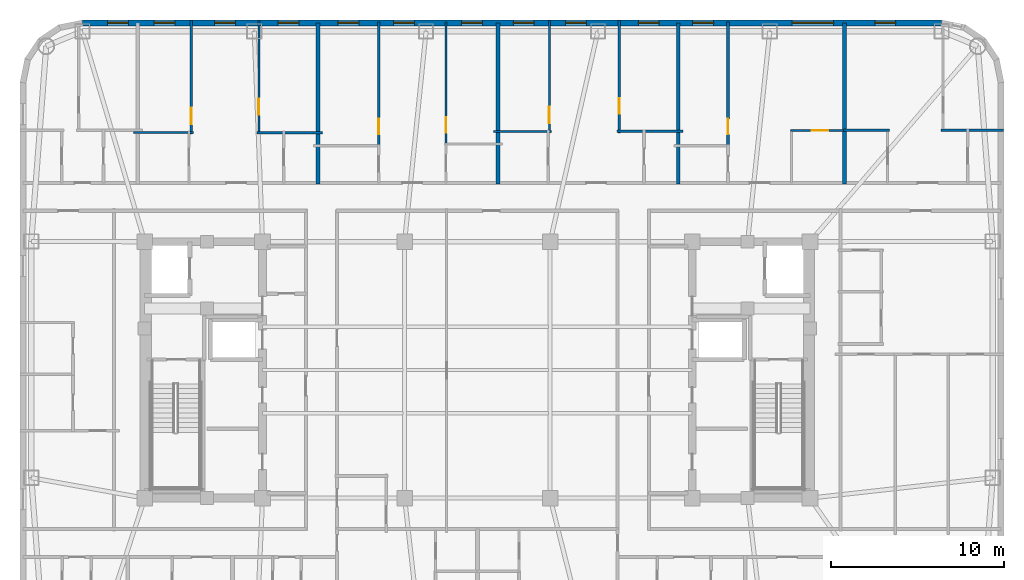
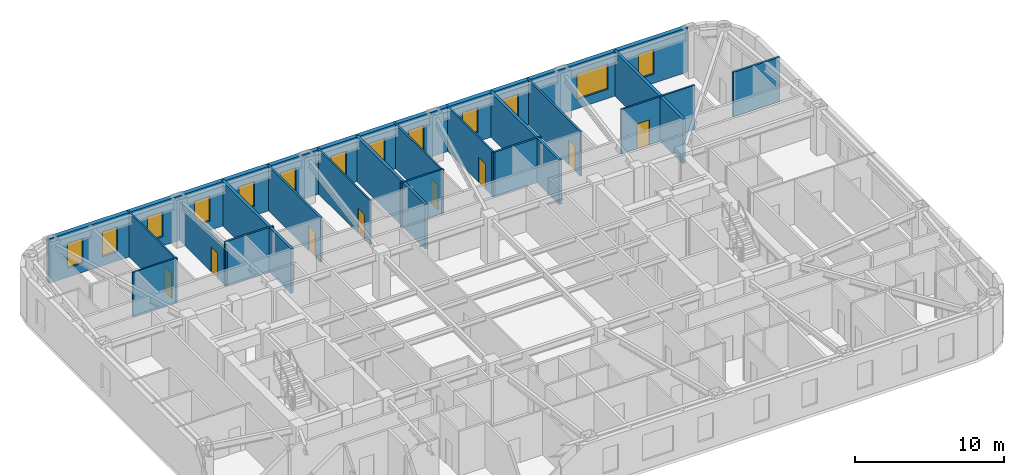
# One storey, part 8 of 11: 19 walls, 13 windows, 8 doors, 21 openings.
"""IFC4 building model written with IfcOpenShell, lengths in metres."""

from ifc_helpers import new_model, si_unit, direction, frame, frame_2d, origin, place, context, subcontext, project, spatial, rectangle, extrude, material, layer, layer_set, type_object, element, fill, save


model = new_model("IFC4")

# Units and contexts
model_context = context("Model", 3, precision=1e-05, world=origin(), true_north=direction((0.0, 1.0)))
body_context = subcontext(model_context, "Body", "Model", "MODEL_VIEW")
ifc_project = project(units=[si_unit("LENGTHUNIT", "METRE"), si_unit("AREAUNIT", "SQUARE_METRE"), si_unit("VOLUMEUNIT", "CUBIC_METRE"), si_unit("PLANEANGLEUNIT", "RADIAN"), si_unit("MASSUNIT", "GRAM", prefix="KILO")], contexts=[model_context])

# Site, building, storey
site_placement = place(None, origin())
site = spatial("IfcSite", under=ifc_project, at=site_placement, CompositionType="ELEMENT")
building_placement = place(site_placement, origin())
building = spatial("IfcBuilding", under=site, at=building_placement, Name="Voryun Gate Residences", CompositionType="ELEMENT")
storey_placement = place(building_placement, frame((0.0, 0.0, 215.800048828125)))
storey = spatial("IfcBuildingStorey", under=building, at=storey_placement, Name="L53", CompositionType="ELEMENT", Elevation=215.800048828125)

# Wall, openings, windows
ifc_material_1 = material(Name="Charcoal terracotta masonry", Category="masonry")
ifc_layer_1 = layer(ifc_material_1, 0.340087890625, Name="W_EXT_TERRACOTTA_340")
ifc_layer_set_1 = layer_set([ifc_layer_1], Name="Charcoal terracotta masonry")
wall_type_1 = type_object("IfcWallType", Name="W_EXT_TERRACOTTA_340", PredefinedType="ELEMENTEDWALL", material=ifc_layer_set_1)
wall_1_placement = place(storey_placement, frame((-22.783203125, 20.030029296875, 0.0), z_axis=(0.0, 0.0, 1.0), x_axis=(1.0, 0.0, 0.0)))
wall_1 = element("IfcWall", 1, at=wall_1_placement, inside=storey, type_object=wall_type_1, Name="Exterior wall WEXT-L53-11", PredefinedType="ELEMENTEDWALL", context=body_context, shape_type="SweptSolid", body=[
    extrude(rectangle(XDim=49.56640625, YDim=0.340087890625, at=frame_2d((24.783203125, 0.0))), origin(), (0.0, 0.0, 1.0), 3.64990234375),
])
opening_1_placement = place(wall_1_placement, frame((40.95556640625, 0.0, 0.75)))
opening_1 = element("IfcOpeningElement", 2, at=opening_1_placement, cuts=wall_1, Name="Opening WN2", PredefinedType="OPENING", context=body_context, shape_type="SweptSolid", body=[
    extrude(rectangle(XDim=2.39990234375, YDim=2.10009765625, at=frame_2d((1.199951171875, 1.050048828125))), frame((0.0, 0.179931640625, 0.0), z_axis=(0.0, -1.0, 0.0), x_axis=(1.0, 0.0, 0.0)), (0.0, 0.0, 1.0), 0.360107421875),
])
opening_2_placement = place(wall_1_placement, frame((1.4365234375, 0.0, 0.75)))
opening_2 = element("IfcOpeningElement", 3, at=opening_2_placement, cuts=wall_1, Name="Opening WN6", PredefinedType="OPENING", context=body_context, shape_type="SweptSolid", body=[
    extrude(rectangle(XDim=1.199951171875, YDim=2.050048828125, at=frame_2d((0.60009765625, 1.02490234375))), frame((0.0, 0.179931640625, 0.0), z_axis=(0.0, -1.0, 0.0), x_axis=(1.0, 0.0, 0.0)), (0.0, 0.0, 1.0), 0.360107421875),
])
opening_3_placement = place(wall_1_placement, frame((7.619384765625, 0.0, 0.75)))
opening_3 = element("IfcOpeningElement", 4, at=opening_3_placement, cuts=wall_1, Name="Opening WN6", PredefinedType="OPENING", context=body_context, shape_type="SweptSolid", body=[
    extrude(rectangle(XDim=1.199951171875, YDim=2.050048828125, at=frame_2d((0.60009765625, 1.02490234375))), frame((0.0, 0.179931640625, 0.0), z_axis=(0.0, -1.0, 0.0), x_axis=(1.0, 0.0, 0.0)), (0.0, 0.0, 1.0), 0.360107421875),
])
opening_4_placement = place(wall_1_placement, frame((4.124267578125, 0.0, 0.75)))
opening_4 = element("IfcOpeningElement", 5, at=opening_4_placement, cuts=wall_1, Name="Opening WN6", PredefinedType="OPENING", context=body_context, shape_type="SweptSolid", body=[
    extrude(rectangle(XDim=1.199951171875, YDim=2.050048828125, at=frame_2d((0.60009765625, 1.02490234375))), frame((0.0, 0.179931640625, 0.0), z_axis=(0.0, -1.0, 0.0), x_axis=(1.0, 0.0, 0.0)), (0.0, 0.0, 1.0), 0.360107421875),
])
opening_5_placement = place(wall_1_placement, frame((11.2783203125, 0.0, 0.75)))
opening_5 = element("IfcOpeningElement", 6, at=opening_5_placement, cuts=wall_1, Name="Opening WN6", PredefinedType="OPENING", context=body_context, shape_type="SweptSolid", body=[
    extrude(rectangle(XDim=1.199951171875, YDim=2.050048828125, at=frame_2d((0.60009765625, 1.02490234375))), frame((0.0, 0.179931640625, 0.0), z_axis=(0.0, -1.0, 0.0), x_axis=(1.0, 0.0, 0.0)), (0.0, 0.0, 1.0), 0.360107421875),
])
opening_6_placement = place(wall_1_placement, frame((17.953369140625, 0.0, 0.75)))
opening_6 = element("IfcOpeningElement", 7, at=opening_6_placement, cuts=wall_1, Name="Opening WN6", PredefinedType="OPENING", context=body_context, shape_type="SweptSolid", body=[
    extrude(rectangle(XDim=1.199951171875, YDim=2.050048828125, at=frame_2d((0.60009765625, 1.02490234375))), frame((0.0, 0.179931640625, 0.0), z_axis=(0.0, -1.0, 0.0), x_axis=(1.0, 0.0, 0.0)), (0.0, 0.0, 1.0), 0.360107421875),
])
opening_7_placement = place(wall_1_placement, frame((14.73828125, 0.0, 0.75)))
opening_7 = element("IfcOpeningElement", 8, at=opening_7_placement, cuts=wall_1, Name="Opening WN6", PredefinedType="OPENING", context=body_context, shape_type="SweptSolid", body=[
    extrude(rectangle(XDim=1.199951171875, YDim=2.050048828125, at=frame_2d((0.60009765625, 1.02490234375))), frame((0.0, 0.179931640625, 0.0), z_axis=(0.0, -1.0, 0.0), x_axis=(1.0, 0.0, 0.0)), (0.0, 0.0, 1.0), 0.360107421875),
])
opening_8_placement = place(wall_1_placement, frame((21.87841796875, 0.0, 0.75)))
opening_8 = element("IfcOpeningElement", 9, at=opening_8_placement, cuts=wall_1, Name="Opening WN6", PredefinedType="OPENING", context=body_context, shape_type="SweptSolid", body=[
    extrude(rectangle(XDim=1.199951171875, YDim=2.050048828125, at=frame_2d((0.60009765625, 1.02490234375))), frame((0.0, 0.179931640625, 0.0), z_axis=(0.0, -1.0, 0.0), x_axis=(1.0, 0.0, 0.0)), (0.0, 0.0, 1.0), 0.360107421875),
])
opening_9_placement = place(wall_1_placement, frame((27.877685546875, 0.0, 0.75)))
opening_9 = element("IfcOpeningElement", 10, at=opening_9_placement, cuts=wall_1, Name="Opening WN6", PredefinedType="OPENING", context=body_context, shape_type="SweptSolid", body=[
    extrude(rectangle(XDim=1.199951171875, YDim=2.050048828125, at=frame_2d((0.60009765625, 1.02490234375))), frame((0.0, 0.179931640625, 0.0), z_axis=(0.0, -1.0, 0.0), x_axis=(1.0, 0.0, 0.0)), (0.0, 0.0, 1.0), 0.360107421875),
])
opening_10_placement = place(wall_1_placement, frame((24.86279296875, 0.0, 0.75)))
opening_10 = element("IfcOpeningElement", 11, at=opening_10_placement, cuts=wall_1, Name="Opening WN6", PredefinedType="OPENING", context=body_context, shape_type="SweptSolid", body=[
    extrude(rectangle(XDim=1.199951171875, YDim=2.050048828125, at=frame_2d((0.60009765625, 1.02490234375))), frame((0.0, 0.179931640625, 0.0), z_axis=(0.0, -1.0, 0.0), x_axis=(1.0, 0.0, 0.0)), (0.0, 0.0, 1.0), 0.360107421875),
])
opening_11_placement = place(wall_1_placement, frame((32.078369140625, 0.0, 0.75)))
opening_11 = element("IfcOpeningElement", 12, at=opening_11_placement, cuts=wall_1, Name="Opening WN6", PredefinedType="OPENING", context=body_context, shape_type="SweptSolid", body=[
    extrude(rectangle(XDim=1.199951171875, YDim=2.050048828125, at=frame_2d((0.60009765625, 1.02490234375))), frame((0.0, 0.179931640625, 0.0), z_axis=(0.0, -1.0, 0.0), x_axis=(1.0, 0.0, 0.0)), (0.0, 0.0, 1.0), 0.360107421875),
])
opening_12_placement = place(wall_1_placement, frame((35.21630859375, 0.0, 0.75)))
opening_12 = element("IfcOpeningElement", 13, at=opening_12_placement, cuts=wall_1, Name="Opening WN6", PredefinedType="OPENING", context=body_context, shape_type="SweptSolid", body=[
    extrude(rectangle(XDim=1.199951171875, YDim=2.050048828125, at=frame_2d((0.60009765625, 1.02490234375))), frame((0.0, 0.179931640625, 0.0), z_axis=(0.0, -1.0, 0.0), x_axis=(1.0, 0.0, 0.0)), (0.0, 0.0, 1.0), 0.360107421875),
])
opening_13_placement = place(wall_1_placement, frame((45.72998046875, 0.0, 0.75)))
opening_13 = element("IfcOpeningElement", 14, at=opening_13_placement, cuts=wall_1, Name="Opening WN6", PredefinedType="OPENING", context=body_context, shape_type="SweptSolid", body=[
    extrude(rectangle(XDim=1.199951171875, YDim=2.050048828125, at=frame_2d((0.60009765625, 1.02490234375))), frame((0.0, 0.179931640625, 0.0), z_axis=(0.0, -1.0, 0.0), x_axis=(1.0, 0.0, 0.0)), (0.0, 0.0, 1.0), 0.360107421875),
])
ifc_material_2 = material(Name="Laminated low-E glass", Category="glass")
window_type_1 = type_object("IfcWindowType", Name="WN_POD_SLOT_1200", PartitioningType="SINGLE_PANEL", PredefinedType="WINDOW", material=ifc_material_2)
window_1_placement = place(opening_2_placement, origin())
window_1 = element("IfcWindow", 15, at=window_1_placement, inside=storey, type_object=window_type_1, Name="Window WN-L53-DWFIX-02", OverallHeight=2.050048828125, OverallWidth=1.199951171875, PartitioningType="SINGLE_PANEL", PredefinedType="WINDOW", context=body_context, shape_type="SweptSolid", body=[
    extrude(rectangle(XDim=1.199951171875, YDim=2.050048828125, at=frame_2d((0.60009765625, 1.02490234375))), frame((0.0, 0.030029296875, 0.0), z_axis=(0.0, -1.0, 0.0), x_axis=(1.0, 0.0, 0.0)), (0.0, 0.0, 1.0), 0.06005859375),
])
fill(opening_2, window_1)
window_2_placement = place(opening_3_placement, origin())
window_2 = element("IfcWindow", 16, at=window_2_placement, inside=storey, type_object=window_type_1, Name="Window WN-L53-DWFIX-03", OverallHeight=2.050048828125, OverallWidth=1.199951171875, PartitioningType="SINGLE_PANEL", PredefinedType="WINDOW", context=body_context, shape_type="SweptSolid", body=[
    extrude(rectangle(XDim=1.199951171875, YDim=2.050048828125, at=frame_2d((0.60009765625, 1.02490234375))), frame((0.0, 0.030029296875, 0.0), z_axis=(0.0, -1.0, 0.0), x_axis=(1.0, 0.0, 0.0)), (0.0, 0.0, 1.0), 0.06005859375),
])
fill(opening_3, window_2)
window_3_placement = place(opening_4_placement, origin())
window_3 = element("IfcWindow", 17, at=window_3_placement, inside=storey, type_object=window_type_1, Name="Window WN-L53-DWFIX-04", OverallHeight=2.050048828125, OverallWidth=1.199951171875, PartitioningType="SINGLE_PANEL", PredefinedType="WINDOW", context=body_context, shape_type="SweptSolid", body=[
    extrude(rectangle(XDim=1.199951171875, YDim=2.050048828125, at=frame_2d((0.60009765625, 1.02490234375))), frame((0.0, 0.030029296875, 0.0), z_axis=(0.0, -1.0, 0.0), x_axis=(1.0, 0.0, 0.0)), (0.0, 0.0, 1.0), 0.06005859375),
])
fill(opening_4, window_3)
window_4_placement = place(opening_5_placement, origin())
window_4 = element("IfcWindow", 18, at=window_4_placement, inside=storey, type_object=window_type_1, Name="Window WN-L53-DWFIX-05", OverallHeight=2.050048828125, OverallWidth=1.199951171875, PartitioningType="SINGLE_PANEL", PredefinedType="WINDOW", context=body_context, shape_type="SweptSolid", body=[
    extrude(rectangle(XDim=1.199951171875, YDim=2.050048828125, at=frame_2d((0.60009765625, 1.02490234375))), frame((0.0, 0.030029296875, 0.0), z_axis=(0.0, -1.0, 0.0), x_axis=(1.0, 0.0, 0.0)), (0.0, 0.0, 1.0), 0.06005859375),
])
fill(opening_5, window_4)
window_5_placement = place(opening_6_placement, origin())
window_5 = element("IfcWindow", 19, at=window_5_placement, inside=storey, type_object=window_type_1, Name="Window WN-L53-DWFIX-06", OverallHeight=2.050048828125, OverallWidth=1.199951171875, PartitioningType="SINGLE_PANEL", PredefinedType="WINDOW", context=body_context, shape_type="SweptSolid", body=[
    extrude(rectangle(XDim=1.199951171875, YDim=2.050048828125, at=frame_2d((0.60009765625, 1.02490234375))), frame((0.0, 0.030029296875, 0.0), z_axis=(0.0, -1.0, 0.0), x_axis=(1.0, 0.0, 0.0)), (0.0, 0.0, 1.0), 0.06005859375),
])
fill(opening_6, window_5)
window_6_placement = place(opening_7_placement, origin())
window_6 = element("IfcWindow", 20, at=window_6_placement, inside=storey, type_object=window_type_1, Name="Window WN-L53-DWFIX-07", OverallHeight=2.050048828125, OverallWidth=1.199951171875, PartitioningType="SINGLE_PANEL", PredefinedType="WINDOW", context=body_context, shape_type="SweptSolid", body=[
    extrude(rectangle(XDim=1.199951171875, YDim=2.050048828125, at=frame_2d((0.60009765625, 1.02490234375))), frame((0.0, 0.030029296875, 0.0), z_axis=(0.0, -1.0, 0.0), x_axis=(1.0, 0.0, 0.0)), (0.0, 0.0, 1.0), 0.06005859375),
])
fill(opening_7, window_6)
window_7_placement = place(opening_8_placement, origin())
window_7 = element("IfcWindow", 21, at=window_7_placement, inside=storey, type_object=window_type_1, Name="Window WN-L53-DWFIX-08", OverallHeight=2.050048828125, OverallWidth=1.199951171875, PartitioningType="SINGLE_PANEL", PredefinedType="WINDOW", context=body_context, shape_type="SweptSolid", body=[
    extrude(rectangle(XDim=1.199951171875, YDim=2.050048828125, at=frame_2d((0.60009765625, 1.02490234375))), frame((0.0, 0.030029296875, 0.0), z_axis=(0.0, -1.0, 0.0), x_axis=(1.0, 0.0, 0.0)), (0.0, 0.0, 1.0), 0.06005859375),
])
fill(opening_8, window_7)
window_8_placement = place(opening_9_placement, origin())
window_8 = element("IfcWindow", 22, at=window_8_placement, inside=storey, type_object=window_type_1, Name="Window WN-L53-DWFIX-09", OverallHeight=2.050048828125, OverallWidth=1.199951171875, PartitioningType="SINGLE_PANEL", PredefinedType="WINDOW", context=body_context, shape_type="SweptSolid", body=[
    extrude(rectangle(XDim=1.199951171875, YDim=2.050048828125, at=frame_2d((0.60009765625, 1.02490234375))), frame((0.0, 0.030029296875, 0.0), z_axis=(0.0, -1.0, 0.0), x_axis=(1.0, 0.0, 0.0)), (0.0, 0.0, 1.0), 0.06005859375),
])
fill(opening_9, window_8)
window_9_placement = place(opening_10_placement, origin())
window_9 = element("IfcWindow", 23, at=window_9_placement, inside=storey, type_object=window_type_1, Name="Window WN-L53-DWFIX-10", OverallHeight=2.050048828125, OverallWidth=1.199951171875, PartitioningType="SINGLE_PANEL", PredefinedType="WINDOW", context=body_context, shape_type="SweptSolid", body=[
    extrude(rectangle(XDim=1.199951171875, YDim=2.050048828125, at=frame_2d((0.60009765625, 1.02490234375))), frame((0.0, 0.030029296875, 0.0), z_axis=(0.0, -1.0, 0.0), x_axis=(1.0, 0.0, 0.0)), (0.0, 0.0, 1.0), 0.06005859375),
])
fill(opening_10, window_9)
window_10_placement = place(opening_11_placement, origin())
window_10 = element("IfcWindow", 24, at=window_10_placement, inside=storey, type_object=window_type_1, Name="Window WN-L53-DWFIX-11", OverallHeight=2.050048828125, OverallWidth=1.199951171875, PartitioningType="SINGLE_PANEL", PredefinedType="WINDOW", context=body_context, shape_type="SweptSolid", body=[
    extrude(rectangle(XDim=1.199951171875, YDim=2.050048828125, at=frame_2d((0.60009765625, 1.02490234375))), frame((0.0, 0.030029296875, 0.0), z_axis=(0.0, -1.0, 0.0), x_axis=(1.0, 0.0, 0.0)), (0.0, 0.0, 1.0), 0.06005859375),
])
fill(opening_11, window_10)
window_11_placement = place(opening_12_placement, origin())
window_11 = element("IfcWindow", 25, at=window_11_placement, inside=storey, type_object=window_type_1, Name="Window WN-L53-DWFIX-12", OverallHeight=2.050048828125, OverallWidth=1.199951171875, PartitioningType="SINGLE_PANEL", PredefinedType="WINDOW", context=body_context, shape_type="SweptSolid", body=[
    extrude(rectangle(XDim=1.199951171875, YDim=2.050048828125, at=frame_2d((0.60009765625, 1.02490234375))), frame((0.0, 0.030029296875, 0.0), z_axis=(0.0, -1.0, 0.0), x_axis=(1.0, 0.0, 0.0)), (0.0, 0.0, 1.0), 0.06005859375),
])
fill(opening_12, window_11)
window_12_placement = place(opening_13_placement, origin())
window_12 = element("IfcWindow", 26, at=window_12_placement, inside=storey, type_object=window_type_1, Name="Window WN-L53-DWFIX-13", OverallHeight=2.050048828125, OverallWidth=1.199951171875, PartitioningType="SINGLE_PANEL", PredefinedType="WINDOW", context=body_context, shape_type="SweptSolid", body=[
    extrude(rectangle(XDim=1.199951171875, YDim=2.050048828125, at=frame_2d((0.60009765625, 1.02490234375))), frame((0.0, 0.030029296875, 0.0), z_axis=(0.0, -1.0, 0.0), x_axis=(1.0, 0.0, 0.0)), (0.0, 0.0, 1.0), 0.06005859375),
])
fill(opening_13, window_12)
ifc_material_3 = material(Name="Laminated low-E glass", Category="glass")
window_type_2 = type_object("IfcWindowType", Name="WN_RES_WIDE_2400", PartitioningType="SINGLE_PANEL", PredefinedType="WINDOW", material=ifc_material_3)
window_13_placement = place(opening_1_placement, origin())
window_13 = element("IfcWindow", 27, at=window_13_placement, inside=storey, type_object=window_type_2, Name="Window WN-WEXT-L53-11-03", OverallHeight=2.10009765625, OverallWidth=2.39990234375, PartitioningType="SINGLE_PANEL", PredefinedType="WINDOW", context=body_context, shape_type="SweptSolid", body=[
    extrude(rectangle(XDim=2.39990234375, YDim=2.10009765625, at=frame_2d((1.199951171875, 1.050048828125))), frame((0.0, 0.030029296875, 0.0), z_axis=(0.0, -1.0, 0.0), x_axis=(1.0, 0.0, 0.0)), (0.0, 0.0, 1.0), 0.06005859375),
])
fill(opening_1, window_13)

# Walls
ifc_material_4 = material(Name="Concrete C40/50", Category="concrete")
ifc_layer_2 = layer(ifc_material_4, 0.219970703125, Name="W_PARTY_ACOUSTIC_220")
ifc_layer_set_2 = layer_set([ifc_layer_2], Name="Concrete C40/50")
wall_type_2 = type_object("IfcWallType", Name="W_PARTY_ACOUSTIC_220", PredefinedType="PARTITIONING", material=ifc_layer_set_2)
for number, where, z_axis, x_axis, name in (
    (28, (-9.199951171875, 10.719970703125, 0.0), (0.0, 0.0, 1.0), (0.0, 1.0, 0.0), "Partition wall WP-L53-NPTY-2"),
    (29, (1.199951171875, 10.719970703125, 0.0), (0.0, 0.0, 1.0), (0.0, 1.0, 0.0), "Partition wall WP-L53-NPTY-3"),
    (30, (11.60009765625, 10.719970703125, 0.0), (0.0, 0.0, 1.0), (0.0, 1.0, 0.0), "Partition wall WP-L53-NPTY-4"),
    (31, (21.199951171875, 10.719970703125, 0.0), (0.0, 0.0, 1.0), (0.0, 1.0, 0.0), "Partition wall WP-L53-NPTY-5"),
):
    element("IfcWall", number, at=place(storey_placement, frame(where, z_axis=z_axis, x_axis=x_axis)), inside=storey, type_object=wall_type_2, Name=name, PredefinedType="PARTITIONING", context=body_context, shape_type="SweptSolid", body=[
        extrude(rectangle(XDim=9.31005859375, YDim=0.219970703125, at=frame_2d((4.655029296875, 0.0))), origin(), (0.0, 0.0, 1.0), 3.64990234375),
    ])

# Wall, opening, door
ifc_material_5 = material(Name="Gypsum acoustic partition")
ifc_layer_3 = layer(ifc_material_5, 0.125, Name="W_UNIT_PART_125")
ifc_layer_set_3 = layer_set([ifc_layer_3], Name="Gypsum acoustic partition")
wall_type_3 = type_object("IfcWallType", Name="W_UNIT_PART_125", PredefinedType="PARTITIONING", material=ifc_layer_set_3)
wall_2_placement = place(storey_placement, frame((-16.51806640625, 13.6201171875, 0.0), z_axis=(0.0, 0.0, 1.0), x_axis=(0.0, 1.0, 0.0)))
wall_2 = element("IfcWall", 32, at=wall_2_placement, inside=storey, type_object=wall_type_3, Name="Partition wall WP-L53-N2-OVL", PredefinedType="PARTITIONING", context=body_context, shape_type="SweptSolid", body=[
    extrude(rectangle(XDim=6.559814453125, YDim=0.125, at=frame_2d((3.27978515625, 0.0))), origin(), (0.0, 0.0, 1.0), 3.64990234375),
])
opening_14_placement = place(wall_2_placement, frame((0.57470703125, 0.0, 0.0)))
opening_14 = element("IfcOpeningElement", 33, at=opening_14_placement, cuts=wall_2, Name="Opening D-INT-1", PredefinedType="OPENING", context=body_context, shape_type="SweptSolid", body=[
    extrude(rectangle(XDim=0.949951171875, YDim=2.050048828125, at=frame_2d((0.47509765625, 1.02490234375))), frame((0.0, 0.072509765625, 0.0), z_axis=(0.0, -1.0, 0.0), x_axis=(1.0, 0.0, 0.0)), (0.0, 0.0, 1.0), 0.14501953125),
])
ifc_material_6 = material(Name="Architectural oak veneer")
door_type_1 = type_object("IfcDoorType", Name="DR_INT_ROOM_950", OperationType="NOTDEFINED", PredefinedType="DOOR", material=ifc_material_6)
door_1_placement = place(opening_14_placement, origin())
door_1 = element("IfcDoor", 34, at=door_1_placement, inside=storey, type_object=door_type_1, Name="Door DR-L53-N2-DB2", OperationType="SINGLE_SWING_LEFT", OverallHeight=2.050048828125, OverallWidth=0.949951171875, PredefinedType="DOOR", context=body_context, shape_type="SweptSolid", body=[
    extrude(rectangle(XDim=0.949951171875, YDim=2.050048828125, at=frame_2d((0.47509765625, 1.02490234375))), frame((0.0, 0.02490234375, 0.0), z_axis=(0.0, -1.0, 0.0), x_axis=(1.0, 0.0, 0.0)), (0.0, 0.0, 1.0), 0.050048828125),
])
fill(opening_14, door_1)

wall_3_placement = place(storey_placement, frame((-12.610107421875, 13.6201171875, 0.0), z_axis=(0.0, 0.0, 1.0), x_axis=(0.0, 1.0, 0.0)))
wall_3 = element("IfcWall", 35, at=wall_3_placement, inside=storey, type_object=wall_type_3, Name="Partition wall WP-L53-N2-OVR", PredefinedType="PARTITIONING", context=body_context, shape_type="SweptSolid", body=[
    extrude(rectangle(XDim=6.559814453125, YDim=0.125, at=frame_2d((3.27978515625, 0.0))), origin(), (0.0, 0.0, 1.0), 3.08984375),
])
opening_15_placement = place(wall_3_placement, frame((1.12451171875, 0.0, 0.0)))
opening_15 = element("IfcOpeningElement", 36, at=opening_15_placement, cuts=wall_3, Name="Opening D-INT-2", PredefinedType="OPENING", context=body_context, shape_type="SweptSolid", body=[
    extrude(rectangle(XDim=0.89990234375, YDim=2.050048828125, at=frame_2d((0.449951171875, 1.02490234375))), frame((0.0, 0.072509765625, 0.0), z_axis=(0.0, -1.0, 0.0), x_axis=(1.0, 0.0, 0.0)), (0.0, 0.0, 1.0), 0.14501953125),
])
ifc_material_7 = material(Name="Architectural oak veneer")
door_type_2 = type_object("IfcDoorType", Name="DR_INT_BATH_900", OperationType="NOTDEFINED", PredefinedType="DOOR", material=ifc_material_7)
door_2_placement = place(opening_15_placement, origin())
door_2 = element("IfcDoor", 37, at=door_2_placement, inside=storey, type_object=door_type_2, Name="Door DR-L53-N2-DMB", OperationType="SINGLE_SWING_RIGHT", OverallHeight=2.050048828125, OverallWidth=0.89990234375, PredefinedType="DOOR", context=body_context, shape_type="SweptSolid", body=[
    extrude(rectangle(XDim=0.89990234375, YDim=2.050048828125, at=frame_2d((0.449951171875, 1.02490234375))), frame((0.0, 0.02490234375, 0.0), z_axis=(0.0, -1.0, 0.0), x_axis=(1.0, 0.0, 0.0)), (0.0, 0.0, 1.0), 0.050048828125),
])
fill(opening_15, door_2)

# Wall
wall_4_placement = place(storey_placement, frame((-19.860107421875, 13.699951171875, 0.0), z_axis=(0.0, 0.0, 1.0), x_axis=(1.0, 0.0, 0.0)))
element("IfcWall", 38, at=wall_4_placement, inside=storey, type_object=wall_type_3, Name="Partition wall WP-L53-N2-HZK", PredefinedType="PARTITIONING", context=body_context, shape_type="SweptSolid", body=[
    extrude(rectangle(XDim=3.462158203125, YDim=0.125, at=frame_2d((1.73095703125, 0.0))), origin(), (0.0, 0.0, 1.0), 3.64990234375),
])

# Wall, opening, door
wall_5_placement = place(storey_placement, frame((-1.81005859375, 13.0, 0.0), z_axis=(0.0, 0.0, 1.0), x_axis=(0.0, 1.0, 0.0)))
wall_5 = element("IfcWall", 39, at=wall_5_placement, inside=storey, type_object=wall_type_3, Name="Partition wall WP-L53-N3-RVX2", PredefinedType="PARTITIONING", context=body_context, shape_type="SweptSolid", body=[
    extrude(rectangle(XDim=7.076904296875, YDim=0.125, at=frame_2d((3.53857421875, 0.0))), origin(), (0.0, 0.0, 1.0), 3.64990234375),
])
opening_16_placement = place(wall_5_placement, frame((0.682373046875, 0.0, 0.0)))
opening_16 = element("IfcOpeningElement", 40, at=opening_16_placement, cuts=wall_5, Name="Opening D-INT-2", PredefinedType="OPENING", context=body_context, shape_type="SweptSolid", body=[
    extrude(rectangle(XDim=0.89990234375, YDim=2.050048828125, at=frame_2d((0.449951171875, 1.02490234375))), frame((0.0, 0.072509765625, 0.0), z_axis=(0.0, -1.0, 0.0), x_axis=(1.0, 0.0, 0.0)), (0.0, 0.0, 1.0), 0.14501953125),
])
door_3_placement = place(opening_16_placement, origin())
door_3 = element("IfcDoor", 41, at=door_3_placement, inside=storey, type_object=door_type_2, Name="Door DR-L53-N3-DB2", OperationType="SINGLE_SWING_LEFT", OverallHeight=2.050048828125, OverallWidth=0.89990234375, PredefinedType="DOOR", context=body_context, shape_type="SweptSolid", body=[
    extrude(rectangle(XDim=0.89990234375, YDim=2.050048828125, at=frame_2d((0.449951171875, 1.02490234375))), frame((0.0, 0.02490234375, 0.0), z_axis=(0.0, -1.0, 0.0), x_axis=(1.0, 0.0, 0.0)), (0.0, 0.0, 1.0), 0.050048828125),
])
fill(opening_16, door_3)

wall_6_placement = place(storey_placement, frame((4.158935546875, 13.68896484375, 0.0), z_axis=(0.0, 0.0, 1.0), x_axis=(0.0, 1.0, 0.0)))
wall_6 = element("IfcWall", 42, at=wall_6_placement, inside=storey, type_object=wall_type_3, Name="Partition wall WP-L53-N4-OVL", PredefinedType="PARTITIONING", context=body_context, shape_type="SweptSolid", body=[
    extrude(rectangle(XDim=6.490966796875, YDim=0.125, at=frame_2d((3.24560546875, 0.0))), origin(), (0.0, 0.0, 1.0), 3.64990234375),
])
opening_17_placement = place(wall_6_placement, frame((0.563720703125, 0.0, 0.0)))
opening_17 = element("IfcOpeningElement", 43, at=opening_17_placement, cuts=wall_6, Name="Opening D-INT-1", PredefinedType="OPENING", context=body_context, shape_type="SweptSolid", body=[
    extrude(rectangle(XDim=0.949951171875, YDim=2.050048828125, at=frame_2d((0.47509765625, 1.02490234375))), frame((0.0, 0.072509765625, 0.0), z_axis=(0.0, -1.0, 0.0), x_axis=(1.0, 0.0, 0.0)), (0.0, 0.0, 1.0), 0.14501953125),
])
door_4_placement = place(opening_17_placement, origin())
door_4 = element("IfcDoor", 44, at=door_4_placement, inside=storey, type_object=door_type_1, Name="Door DR-L53-N4-DB2", OperationType="SINGLE_SWING_LEFT", OverallHeight=2.050048828125, OverallWidth=0.949951171875, PredefinedType="DOOR", context=body_context, shape_type="SweptSolid", body=[
    extrude(rectangle(XDim=0.949951171875, YDim=2.050048828125, at=frame_2d((0.47509765625, 1.02490234375))), frame((0.0, 0.02490234375, 0.0), z_axis=(0.0, -1.0, 0.0), x_axis=(1.0, 0.0, 0.0)), (0.0, 0.0, 1.0), 0.050048828125),
])
fill(opening_17, door_4)

wall_7_placement = place(storey_placement, frame((8.18994140625, 13.68896484375, 0.0), z_axis=(0.0, 0.0, 1.0), x_axis=(0.0, 1.0, 0.0)))
wall_7 = element("IfcWall", 45, at=wall_7_placement, inside=storey, type_object=wall_type_3, Name="Partition wall WP-L53-N4-OVR", PredefinedType="PARTITIONING", context=body_context, shape_type="SweptSolid", body=[
    extrude(rectangle(XDim=6.490966796875, YDim=0.125, at=frame_2d((3.24560546875, 0.0))), origin(), (0.0, 0.0, 1.0), 3.64990234375),
])
opening_18_placement = place(wall_7_placement, frame((1.10791015625, 0.0, 0.0)))
opening_18 = element("IfcOpeningElement", 46, at=opening_18_placement, cuts=wall_7, Name="Opening D-INT-2", PredefinedType="OPENING", context=body_context, shape_type="SweptSolid", body=[
    extrude(rectangle(XDim=0.89990234375, YDim=2.050048828125, at=frame_2d((0.449951171875, 1.02490234375))), frame((0.0, 0.072509765625, 0.0), z_axis=(0.0, -1.0, 0.0), x_axis=(1.0, 0.0, 0.0)), (0.0, 0.0, 1.0), 0.14501953125),
])
door_5_placement = place(opening_18_placement, origin())
door_5 = element("IfcDoor", 47, at=door_5_placement, inside=storey, type_object=door_type_2, Name="Door DR-L53-N4-DMB", OperationType="SINGLE_SWING_RIGHT", OverallHeight=2.050048828125, OverallWidth=0.89990234375, PredefinedType="DOOR", context=body_context, shape_type="SweptSolid", body=[
    extrude(rectangle(XDim=0.89990234375, YDim=2.050048828125, at=frame_2d((0.449951171875, 1.02490234375))), frame((0.0, 0.02490234375, 0.0), z_axis=(0.0, -1.0, 0.0), x_axis=(1.0, 0.0, 0.0)), (0.0, 0.0, 1.0), 0.050048828125),
])
fill(opening_18, door_5)

# Wall
wall_8_placement = place(storey_placement, frame((0.93994140625, 13.76904296875, 0.0), z_axis=(0.0, 0.0, 1.0), x_axis=(1.0, 0.0, 0.0)))
element("IfcWall", 48, at=wall_8_placement, inside=storey, type_object=wall_type_3, Name="Partition wall WP-L53-N4-HZK", PredefinedType="PARTITIONING", context=body_context, shape_type="SweptSolid", body=[
    extrude(rectangle(XDim=3.339111328125, YDim=0.125, at=frame_2d((1.66943359375, 0.0))), origin(), (0.0, 0.0, 1.0), 3.64990234375),
])

# Wall, opening, door
wall_9_placement = place(storey_placement, frame((18.076904296875, 13.820068359375, 0.0), z_axis=(0.0, 0.0, 1.0), x_axis=(1.0, 0.0, 0.0)))
wall_9 = element("IfcWall", 49, at=wall_9_placement, inside=storey, type_object=wall_type_3, Name="Partition wall WP-L53-N5-KHY", PredefinedType="PARTITIONING", context=body_context, shape_type="SweptSolid", body=[
    extrude(rectangle(XDim=3.185546875, YDim=0.125, at=frame_2d((1.5927734375, 0.0))), origin(), (0.0, 0.0, 1.0), 3.64990234375),
])
opening_19_placement = place(wall_9_placement, frame((1.216552734375, 0.0, 0.0)))
opening_19 = element("IfcOpeningElement", 50, at=opening_19_placement, cuts=wall_9, Name="Opening D-INT-1", PredefinedType="OPENING", context=body_context, shape_type="SweptSolid", body=[
    extrude(rectangle(XDim=0.949951171875, YDim=2.050048828125, at=frame_2d((0.47509765625, 1.02490234375))), frame((0.0, 0.072509765625, 0.0), z_axis=(0.0, -1.0, 0.0), x_axis=(1.0, 0.0, 0.0)), (0.0, 0.0, 1.0), 0.14501953125),
])
door_6_placement = place(opening_19_placement, origin())
door_6 = element("IfcDoor", 51, at=door_6_placement, inside=storey, type_object=door_type_1, Name="Door DR-L53-N5-DK", OperationType="SINGLE_SWING_LEFT", OverallHeight=2.050048828125, OverallWidth=0.949951171875, PredefinedType="DOOR", context=body_context, shape_type="SweptSolid", body=[
    extrude(rectangle(XDim=0.949951171875, YDim=2.050048828125, at=frame_2d((0.47509765625, 1.02490234375))), frame((0.0, 0.02490234375, 0.0), z_axis=(0.0, -1.0, 0.0), x_axis=(1.0, 0.0, 0.0)), (0.0, 0.0, 1.0), 0.050048828125),
])
fill(opening_19, door_6)

# Walls
wall_10_placement = place(storey_placement, frame((21.137451171875, 13.839111328125, 0.0), z_axis=(0.0, 0.0, 1.0), x_axis=(1.0, 0.0, 0.0)))
element("IfcWall", 52, at=wall_10_placement, inside=storey, type_object=wall_type_3, Name="Partition wall WP-L53-N6-HZK", PredefinedType="PARTITIONING", context=body_context, shape_type="SweptSolid", body=[
    extrude(rectangle(XDim=2.66650390625, YDim=0.125, at=frame_2d((1.333251953125, 0.0))), origin(), (0.0, 0.0, 1.0), 3.64990234375),
])
ifc_material_8 = material(Name="Gypsum moisture-resistant partition")
ifc_layer_4 = layer(ifc_material_8, 0.14990234375, Name="W_WET_PLUMB_150")
ifc_layer_set_4 = layer_set([ifc_layer_4], Name="Gypsum moisture-resistant partition")
wall_type_4 = type_object("IfcWallType", Name="W_WET_PLUMB_150", PredefinedType="PLUMBINGWALL", material=ifc_layer_set_4)
wall_11_placement = place(storey_placement, frame((-12.72998046875, 13.699951171875, 0.0), z_axis=(0.0, 0.0, 1.0), x_axis=(1.0, 0.0, 0.0)))
element("IfcWall", 53, at=wall_11_placement, inside=storey, type_object=wall_type_4, Name="Partition wall WP-L53-N2-HZB", PredefinedType="PLUMBINGWALL", context=body_context, shape_type="SweptSolid", body=[
    extrude(rectangle(XDim=3.7900390625, YDim=0.14990234375, at=frame_2d((1.89501953125, 0.0))), origin(), (0.0, 0.0, 1.0), 3.64990234375),
])

# Wall, opening, door
wall_12_placement = place(storey_placement, frame((-5.68994140625, 12.89990234375, 0.0), z_axis=(0.0, 0.0, 1.0), x_axis=(0.0, 1.0, 0.0)))
wall_12 = element("IfcWall", 54, at=wall_12_placement, inside=storey, type_object=wall_type_4, Name="Partition wall WP-L53-N3-LVX2", PredefinedType="PLUMBINGWALL", context=body_context, shape_type="SweptSolid", body=[
    extrude(rectangle(XDim=7.177001953125, YDim=0.14990234375, at=frame_2d((3.58837890625, 0.0))), origin(), (0.0, 0.0, 1.0), 3.64990234375),
])
opening_20_placement = place(wall_12_placement, frame((0.6982421875, 0.0, 0.0)))
opening_20 = element("IfcOpeningElement", 55, at=opening_20_placement, cuts=wall_12, Name="Opening D-INT-2", PredefinedType="OPENING", context=body_context, shape_type="SweptSolid", body=[
    extrude(rectangle(XDim=0.89990234375, YDim=2.050048828125, at=frame_2d((0.449951171875, 1.02490234375))), frame((0.0, 0.0849609375, 0.0), z_axis=(0.0, -1.0, 0.0), x_axis=(1.0, 0.0, 0.0)), (0.0, 0.0, 1.0), 0.169921875),
])
door_7_placement = place(opening_20_placement, origin())
door_7 = element("IfcDoor", 56, at=door_7_placement, inside=storey, type_object=door_type_2, Name="Door DR-L53-N3-DMB", OperationType="SINGLE_SWING_RIGHT", OverallHeight=2.050048828125, OverallWidth=0.89990234375, PredefinedType="DOOR", context=body_context, shape_type="SweptSolid", body=[
    extrude(rectangle(XDim=0.89990234375, YDim=2.050048828125, at=frame_2d((0.449951171875, 1.02490234375))), frame((0.0, 0.02490234375, 0.0), z_axis=(0.0, -1.0, 0.0), x_axis=(1.0, 0.0, 0.0)), (0.0, 0.0, 1.0), 0.050048828125),
])
fill(opening_20, door_7)

# Wall
wall_13_placement = place(storey_placement, frame((8.070068359375, 13.76904296875, 0.0), z_axis=(0.0, 0.0, 1.0), x_axis=(1.0, 0.0, 0.0)))
element("IfcWall", 57, at=wall_13_placement, inside=storey, type_object=wall_type_4, Name="Partition wall WP-L53-N4-HZB", PredefinedType="PLUMBINGWALL", context=body_context, shape_type="SweptSolid", body=[
    extrude(rectangle(XDim=3.7900390625, YDim=0.14990234375, at=frame_2d((1.89501953125, 0.0))), origin(), (0.0, 0.0, 1.0), 3.64990234375),
])

# Wall, opening, door
wall_14_placement = place(storey_placement, frame((14.466064453125, 12.89990234375, 0.0), z_axis=(0.0, 0.0, 1.0), x_axis=(0.0, 1.0, 0.0)))
wall_14 = element("IfcWall", 58, at=wall_14_placement, inside=storey, type_object=wall_type_4, Name="Partition wall WP-L53-N5-LVX2", PredefinedType="PLUMBINGWALL", context=body_context, shape_type="SweptSolid", body=[
    extrude(rectangle(XDim=7.177001953125, YDim=0.14990234375, at=frame_2d((3.58837890625, 0.0))), origin(), (0.0, 0.0, 1.0), 3.64990234375),
])
opening_21_placement = place(wall_14_placement, frame((0.6982421875, 0.0, 0.0)))
opening_21 = element("IfcOpeningElement", 59, at=opening_21_placement, cuts=wall_14, Name="Opening D-INT-2", PredefinedType="OPENING", context=body_context, shape_type="SweptSolid", body=[
    extrude(rectangle(XDim=0.89990234375, YDim=2.050048828125, at=frame_2d((0.449951171875, 1.02490234375))), frame((0.0, 0.0849609375, 0.0), z_axis=(0.0, -1.0, 0.0), x_axis=(1.0, 0.0, 0.0)), (0.0, 0.0, 1.0), 0.169921875),
])
door_8_placement = place(opening_21_placement, origin())
door_8 = element("IfcDoor", 60, at=door_8_placement, inside=storey, type_object=door_type_2, Name="Door DR-L53-N5-DMB", OperationType="SINGLE_SWING_RIGHT", OverallHeight=2.050048828125, OverallWidth=0.89990234375, PredefinedType="DOOR", context=body_context, shape_type="SweptSolid", body=[
    extrude(rectangle(XDim=0.89990234375, YDim=2.050048828125, at=frame_2d((0.449951171875, 1.02490234375))), frame((0.0, 0.02490234375, 0.0), z_axis=(0.0, -1.0, 0.0), x_axis=(1.0, 0.0, 0.0)), (0.0, 0.0, 1.0), 0.050048828125),
])
fill(opening_21, door_8)

# Wall
wall_15_placement = place(storey_placement, frame((26.76708984375, 13.839111328125, 0.0), z_axis=(0.0, 0.0, 1.0), x_axis=(1.0, 0.0, 0.0)))
element("IfcWall", 61, at=wall_15_placement, inside=storey, type_object=wall_type_4, Name="Partition wall WP-L53-N6-HZB", PredefinedType="PLUMBINGWALL", context=body_context, shape_type="SweptSolid", body=[
    extrude(rectangle(XDim=3.61279296875, YDim=0.14990234375, at=frame_2d((1.806396484375, 0.0))), origin(), (0.0, 0.0, 1.0), 3.64990234375),
])

save(model, "model.ifc")
